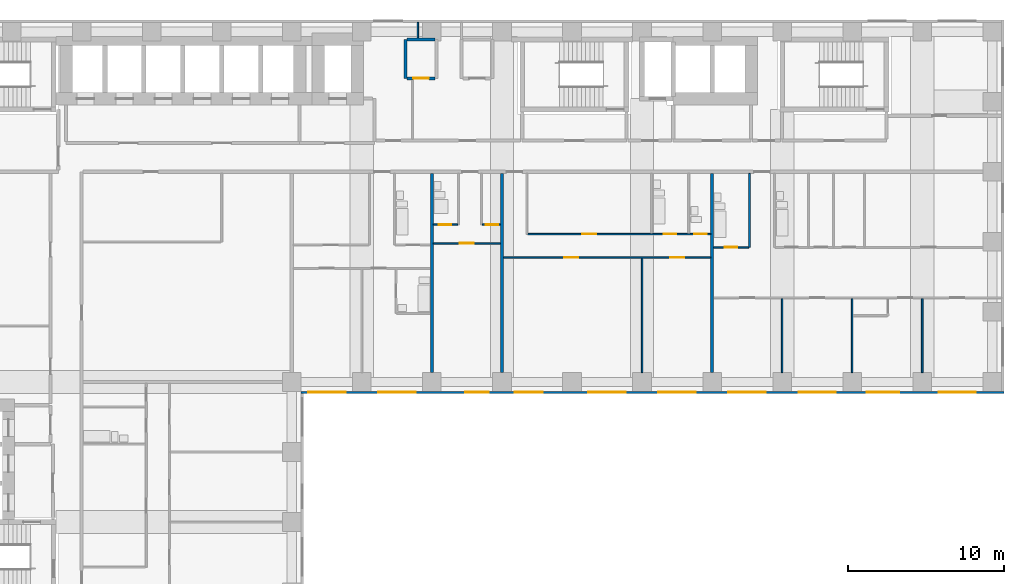
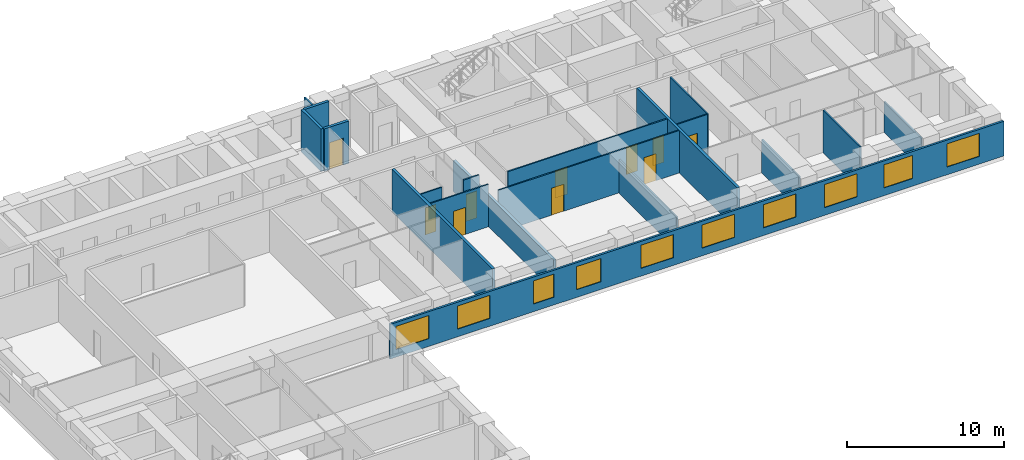
# One storey, part 6 of 11: 19 walls, 10 doors, 10 windows, 20 openings.
"""IFC4 building model written with IfcOpenShell, lengths in metres."""

from ifc_helpers import new_model, si_unit, direction, frame, frame_2d, origin, place, context, subcontext, project, spatial, rectangle, extrude, material, layer, layer_set, type_object, element, fill, save


model = new_model("IFC4")

# Units and contexts
model_context = context("Model", 3, precision=1e-05, world=origin(), true_north=direction((0.0, 1.0)))
body_context = subcontext(model_context, "Body", "Model", "MODEL_VIEW")
ifc_project = project(units=[si_unit("LENGTHUNIT", "METRE"), si_unit("AREAUNIT", "SQUARE_METRE"), si_unit("VOLUMEUNIT", "CUBIC_METRE"), si_unit("PLANEANGLEUNIT", "RADIAN"), si_unit("MASSUNIT", "GRAM", prefix="KILO")], contexts=[model_context])

# Site, building, storey
site_placement = place(None, origin())
site = spatial("IfcSite", under=ifc_project, at=site_placement, CompositionType="ELEMENT")
building_placement = place(site_placement, origin())
building = spatial("IfcBuilding", under=site, at=building_placement, Name="Firuza Court", CompositionType="ELEMENT")
storey_placement = place(building_placement, frame((0.0, 0.0, 75.800048828125)))
storey = spatial("IfcBuildingStorey", under=building, at=storey_placement, Name="L18", CompositionType="ELEMENT", Elevation=75.800048828125)

# Walls
ifc_material_1 = material(Name="Moisture-resistant gypsum board partition")
ifc_layer_1 = layer(ifc_material_1, 0.10009765625)
ifc_layer_set_1 = layer_set([ifc_layer_1], Name="Moisture-resistant gypsum board partition")
wall_type_1 = type_object("IfcWallType", Name="Bathroom partition 100", PredefinedType="PLUMBINGWALL", material=ifc_layer_set_1)
wall_1_placement = place(storey_placement, frame((51.89990234375, 44.64990234375, 0.0), z_axis=(0.0, 0.0, 1.0), x_axis=(0.0, 1.0, 0.0)))
element("IfcWall", 1, at=wall_1_placement, inside=storey, type_object=wall_type_1, Name="Bathroom partition 100 L18", PredefinedType="PLUMBINGWALL", context=body_context, shape_type="SweptSolid", body=[
    extrude(rectangle(XDim=4.75, YDim=0.10009765625, at=frame_2d((2.375, 0.0))), origin(), (0.0, 0.0, 1.0), 3.300048828125),
])
ifc_material_2 = material(Name="Timber stud partition, plasterboard both sides", Category="wood")
ifc_layer_2 = layer(ifc_material_2, 0.10009765625)
ifc_layer_set_2 = layer_set([ifc_layer_2], Name="Timber stud partition, plasterboard both sides")
wall_type_2 = type_object("IfcWallType", Name="Partition wall 100", PredefinedType="PARTITIONING", material=ifc_layer_set_2)
wall_2_placement = place(storey_placement, frame((45.0, 36.60009765625, 0.0), z_axis=(0.0, 0.0, 1.0), x_axis=(0.0, 1.0, 0.0)))
element("IfcWall", 2, at=wall_2_placement, inside=storey, type_object=wall_type_2, Name="Partition wall 100 L18", PredefinedType="PARTITIONING", context=body_context, shape_type="SweptSolid", body=[
    extrude(rectangle(XDim=7.349853515625, YDim=0.10009765625, at=frame_2d((3.6748046875, 0.0))), origin(), (0.0, 0.0, 1.0), 2.599853515625),
])
wall_3_placement = place(storey_placement, frame((54.0, 36.60009765625, 0.0), z_axis=(0.0, 0.0, 1.0), x_axis=(0.0, 1.0, 0.0)))
element("IfcWall", 3, at=wall_3_placement, inside=storey, type_object=wall_type_2, Name="Partition wall 100 L18", PredefinedType="PARTITIONING", context=body_context, shape_type="SweptSolid", body=[
    extrude(rectangle(XDim=4.75, YDim=0.10009765625, at=frame_2d((2.375, 0.0))), origin(), (0.0, 0.0, 1.0), 2.599853515625),
])
wall_4_placement = place(storey_placement, frame((58.5, 36.60009765625, 0.0), z_axis=(0.0, 0.0, 1.0), x_axis=(0.0, 1.0, 0.0)))
element("IfcWall", 4, at=wall_4_placement, inside=storey, type_object=wall_type_2, Name="Partition wall 100 L18", PredefinedType="PARTITIONING", context=body_context, shape_type="SweptSolid", body=[
    extrude(rectangle(XDim=4.75, YDim=0.10009765625, at=frame_2d((2.375, 0.0))), origin(), (0.0, 0.0, 1.0), 3.300048828125),
])
wall_5_placement = place(storey_placement, frame((63.0, 36.60009765625, 0.0), z_axis=(0.0, 0.0, 1.0), x_axis=(0.0, 1.0, 0.0)))
element("IfcWall", 5, at=wall_5_placement, inside=storey, type_object=wall_type_2, Name="Partition wall 100 L18", PredefinedType="PARTITIONING", context=body_context, shape_type="SweptSolid", body=[
    extrude(rectangle(XDim=4.75, YDim=0.10009765625, at=frame_2d((2.375, 0.0))), origin(), (0.0, 0.0, 1.0), 2.39990234375),
])

# Wall, openings, doors
wall_6_placement = place(storey_placement, frame((36.10009765625, 44.0, 0.0), z_axis=(0.0, 0.0, 1.0), x_axis=(1.0, 0.0, 0.0)))
wall_6 = element("IfcWall", 6, at=wall_6_placement, inside=storey, type_object=wall_type_2, Name="Partition wall 100 L18", PredefinedType="PARTITIONING", context=body_context, shape_type="SweptSolid", body=[
    extrude(rectangle(XDim=13.2998046875, YDim=0.10009765625, at=frame_2d((6.64990234375, 0.0))), origin(), (0.0, 0.0, 1.0), 3.300048828125),
])
opening_1_placement = place(wall_6_placement, frame((3.89990234375, 0.0, 0.0)))
opening_1 = element("IfcOpeningElement", 7, at=opening_1_placement, cuts=wall_6, Name="Opening D18051", PredefinedType="OPENING", context=body_context, shape_type="SweptSolid", body=[
    extrude(rectangle(XDim=0.89990234375, YDim=2.10009765625, at=frame_2d((0.449951171875, 1.050048828125))), frame((0.0, 0.06201171875, 0.0), z_axis=(0.0, -1.0, 0.0), x_axis=(1.0, 0.0, 0.0)), (0.0, 0.0, 1.0), 0.1240234375),
])
opening_2_placement = place(wall_6_placement, frame((10.699951171875, 0.0, 0.0)))
opening_2 = element("IfcOpeningElement", 8, at=opening_2_placement, cuts=wall_6, Name="Opening D18052", PredefinedType="OPENING", context=body_context, shape_type="SweptSolid", body=[
    extrude(rectangle(XDim=0.89990234375, YDim=2.10009765625, at=frame_2d((0.449951171875, 1.050048828125))), frame((0.0, 0.06201171875, 0.0), z_axis=(0.0, -1.0, 0.0), x_axis=(1.0, 0.0, 0.0)), (0.0, 0.0, 1.0), 0.1240234375),
])
ifc_material_3 = material(Name="Timber door leaf in hardwood frame", Category="wood")
door_type_1 = type_object("IfcDoorType", Name="Room door 900", OperationType="SINGLE_SWING_LEFT", PredefinedType="DOOR", material=ifc_material_3)
door_1_placement = place(opening_1_placement, frame((0.89990234375, 0.0, 0.0), z_axis=(0.0, 0.0, 1.0), x_axis=(-1.0, 0.0, 0.0)))
door_1 = element("IfcDoor", 9, at=door_1_placement, inside=storey, type_object=door_type_1, Name="Living room door", OperationType="SINGLE_SWING_RIGHT", OverallHeight=2.10009765625, OverallWidth=0.89990234375, PredefinedType="DOOR", context=body_context, shape_type="SweptSolid", body=[
    extrude(rectangle(XDim=0.89990234375, YDim=2.10009765625, at=frame_2d((0.449951171875, 1.050048828125))), frame((0.0, 0.02490234375, 0.0), z_axis=(0.0, -1.0, 0.0), x_axis=(1.0, 0.0, 0.0)), (0.0, 0.0, 1.0), 0.050048828125),
])
fill(opening_1, door_1)
door_2_placement = place(opening_2_placement, frame((0.89990234375, 0.0, 0.0), z_axis=(0.0, 0.0, 1.0), x_axis=(-1.0, 0.0, 0.0)))
door_2 = element("IfcDoor", 10, at=door_2_placement, inside=storey, type_object=door_type_1, Name="Bedroom door", OperationType="SINGLE_SWING_RIGHT", OverallHeight=2.10009765625, OverallWidth=0.89990234375, PredefinedType="DOOR", context=body_context, shape_type="SweptSolid", body=[
    extrude(rectangle(XDim=0.89990234375, YDim=2.10009765625, at=frame_2d((0.449951171875, 1.050048828125))), frame((0.0, 0.02490234375, 0.0), z_axis=(0.0, -1.0, 0.0), x_axis=(1.0, 0.0, 0.0)), (0.0, 0.0, 1.0), 0.050048828125),
])
fill(opening_2, door_2)

# Wall, opening, door
wall_7_placement = place(storey_placement, frame((49.60009765625, 44.64990234375, 0.0), z_axis=(0.0, 0.0, 1.0), x_axis=(1.0, 0.0, 0.0)))
wall_7 = element("IfcWall", 11, at=wall_7_placement, inside=storey, type_object=wall_type_2, Name="Partition wall 100 L18", PredefinedType="PARTITIONING", context=body_context, shape_type="SweptSolid", body=[
    extrude(rectangle(XDim=2.25, YDim=0.10009765625, at=frame_2d((1.125, 0.0))), origin(), (0.0, 0.0, 1.0), 3.300048828125),
])
opening_3_placement = place(wall_7_placement, frame((0.699951171875, 0.0, 0.0)))
opening_3 = element("IfcOpeningElement", 12, at=opening_3_placement, cuts=wall_7, Name="Opening D18053", PredefinedType="OPENING", context=body_context, shape_type="SweptSolid", body=[
    extrude(rectangle(XDim=0.800048828125, YDim=2.10009765625, at=frame_2d((0.39990234375, 1.050048828125))), frame((0.0, 0.06201171875, 0.0), z_axis=(0.0, -1.0, 0.0), x_axis=(1.0, 0.0, 0.0)), (0.0, 0.0, 1.0), 0.1240234375),
])
ifc_material_4 = material(Name="Timber door leaf in hardwood frame", Category="wood")
door_type_2 = type_object("IfcDoorType", Name="Bathroom door 800", OperationType="SINGLE_SWING_LEFT", PredefinedType="DOOR", material=ifc_material_4)
door_3_placement = place(opening_3_placement, origin())
door_3 = element("IfcDoor", 13, at=door_3_placement, inside=storey, type_object=door_type_2, Name="Bathroom door", OperationType="SINGLE_SWING_LEFT", OverallHeight=2.10009765625, OverallWidth=0.800048828125, PredefinedType="DOOR", context=body_context, shape_type="SweptSolid", body=[
    extrude(rectangle(XDim=0.800048828125, YDim=2.10009765625, at=frame_2d((0.39990234375, 1.050048828125))), frame((0.0, 0.02490234375, 0.0), z_axis=(0.0, -1.0, 0.0), x_axis=(1.0, 0.0, 0.0)), (0.0, 0.0, 1.0), 0.050048828125),
])
fill(opening_3, door_3)

wall_8_placement = place(storey_placement, frame((31.60009765625, 44.89990234375, 0.0), z_axis=(0.0, 0.0, 1.0), x_axis=(1.0, 0.0, 0.0)))
wall_8 = element("IfcWall", 14, at=wall_8_placement, inside=storey, type_object=wall_type_2, Name="Partition wall 100 L18", PredefinedType="PARTITIONING", context=body_context, shape_type="SweptSolid", body=[
    extrude(rectangle(XDim=4.2998046875, YDim=0.10009765625, at=frame_2d((2.14990234375, 0.0))), origin(), (0.0, 0.0, 1.0), 3.300048828125),
])
opening_4_placement = place(wall_8_placement, frame((1.699951171875, 0.0, 0.0)))
opening_4 = element("IfcOpeningElement", 15, at=opening_4_placement, cuts=wall_8, Name="Opening D18060", PredefinedType="OPENING", context=body_context, shape_type="SweptSolid", body=[
    extrude(rectangle(XDim=0.89990234375, YDim=2.10009765625, at=frame_2d((0.449951171875, 1.050048828125))), frame((0.0, 0.06201171875, 0.0), z_axis=(0.0, -1.0, 0.0), x_axis=(1.0, 0.0, 0.0)), (0.0, 0.0, 1.0), 0.1240234375),
])
door_4_placement = place(opening_4_placement, frame((0.89990234375, 0.0, 0.0), z_axis=(0.0, 0.0, 1.0), x_axis=(-1.0, 0.0, 0.0)))
door_4 = element("IfcDoor", 16, at=door_4_placement, inside=storey, type_object=door_type_1, Name="Studio room door", OperationType="SINGLE_SWING_RIGHT", OverallHeight=2.10009765625, OverallWidth=0.89990234375, PredefinedType="DOOR", context=body_context, shape_type="SweptSolid", body=[
    extrude(rectangle(XDim=0.89990234375, YDim=2.10009765625, at=frame_2d((0.449951171875, 1.050048828125))), frame((0.0, 0.02490234375, 0.0), z_axis=(0.0, -1.0, 0.0), x_axis=(1.0, 0.0, 0.0)), (0.0, 0.0, 1.0), 0.050048828125),
])
fill(opening_4, door_4)

# Wall, openings, doors
wall_9_placement = place(storey_placement, frame((37.64990234375, 45.5, 0.0), z_axis=(0.0, 0.0, 1.0), x_axis=(1.0, 0.0, 0.0)))
wall_9 = element("IfcWall", 17, at=wall_9_placement, inside=storey, type_object=wall_type_2, Name="Partition wall 100 L18", PredefinedType="PARTITIONING", context=body_context, shape_type="SweptSolid", body=[
    extrude(rectangle(XDim=11.75, YDim=0.10009765625, at=frame_2d((5.875, 0.0))), origin(), (0.0, 0.0, 1.0), 3.300048828125),
])
opening_5_placement = place(wall_9_placement, frame((8.75, 0.0, 0.0)))
opening_5 = element("IfcOpeningElement", 18, at=opening_5_placement, cuts=wall_9, Name="Opening D18061", PredefinedType="OPENING", context=body_context, shape_type="SweptSolid", body=[
    extrude(rectangle(XDim=0.800048828125, YDim=2.10009765625, at=frame_2d((0.39990234375, 1.050048828125))), frame((0.0, 0.06201171875, 0.0), z_axis=(0.0, -1.0, 0.0), x_axis=(1.0, 0.0, 0.0)), (0.0, 0.0, 1.0), 0.1240234375),
])
opening_6_placement = place(wall_9_placement, frame((3.5, 0.0, 0.0)))
opening_6 = element("IfcOpeningElement", 19, at=opening_6_placement, cuts=wall_9, Name="Opening D18062", PredefinedType="OPENING", context=body_context, shape_type="SweptSolid", body=[
    extrude(rectangle(XDim=0.89990234375, YDim=2.10009765625, at=frame_2d((0.449951171875, 1.050048828125))), frame((0.0, 0.06201171875, 0.0), z_axis=(0.0, -1.0, 0.0), x_axis=(1.0, 0.0, 0.0)), (0.0, 0.0, 1.0), 0.1240234375),
])
opening_7_placement = place(wall_9_placement, frame((10.699951171875, 0.0, 0.0)))
opening_7 = element("IfcOpeningElement", 20, at=opening_7_placement, cuts=wall_9, Name="Opening D18063", PredefinedType="OPENING", context=body_context, shape_type="SweptSolid", body=[
    extrude(rectangle(XDim=0.800048828125, YDim=2.10009765625, at=frame_2d((0.39990234375, 1.050048828125))), frame((0.0, 0.06201171875, 0.0), z_axis=(0.0, -1.0, 0.0), x_axis=(1.0, 0.0, 0.0)), (0.0, 0.0, 1.0), 0.1240234375),
])
door_5_placement = place(opening_5_placement, origin())
door_5 = element("IfcDoor", 21, at=door_5_placement, inside=storey, type_object=door_type_2, Name="Bathroom door", OperationType="SINGLE_SWING_LEFT", OverallHeight=2.10009765625, OverallWidth=0.800048828125, PredefinedType="DOOR", context=body_context, shape_type="SweptSolid", body=[
    extrude(rectangle(XDim=0.800048828125, YDim=2.10009765625, at=frame_2d((0.39990234375, 1.050048828125))), frame((0.0, 0.02490234375, 0.0), z_axis=(0.0, -1.0, 0.0), x_axis=(1.0, 0.0, 0.0)), (0.0, 0.0, 1.0), 0.050048828125),
])
fill(opening_5, door_5)
door_6_placement = place(opening_7_placement, origin())
door_6 = element("IfcDoor", 22, at=door_6_placement, inside=storey, type_object=door_type_2, Name="Powder room door", OperationType="SINGLE_SWING_LEFT", OverallHeight=2.10009765625, OverallWidth=0.800048828125, PredefinedType="DOOR", context=body_context, shape_type="SweptSolid", body=[
    extrude(rectangle(XDim=0.800048828125, YDim=2.10009765625, at=frame_2d((0.39990234375, 1.050048828125))), frame((0.0, 0.02490234375, 0.0), z_axis=(0.0, -1.0, 0.0), x_axis=(1.0, 0.0, 0.0)), (0.0, 0.0, 1.0), 0.050048828125),
])
fill(opening_7, door_6)
door_7_placement = place(opening_6_placement, origin())
door_7 = element("IfcDoor", 23, at=door_7_placement, inside=storey, type_object=door_type_1, Name="Kitchen door", OperationType="SINGLE_SWING_LEFT", OverallHeight=2.10009765625, OverallWidth=0.89990234375, PredefinedType="DOOR", context=body_context, shape_type="SweptSolid", body=[
    extrude(rectangle(XDim=0.89990234375, YDim=2.10009765625, at=frame_2d((0.449951171875, 1.050048828125))), frame((0.0, 0.02490234375, 0.0), z_axis=(0.0, -1.0, 0.0), x_axis=(1.0, 0.0, 0.0)), (0.0, 0.0, 1.0), 0.050048828125),
])
fill(opening_6, door_7)

# Wall, opening, door
wall_10_placement = place(storey_placement, frame((31.60009765625, 46.10009765625, 0.0), z_axis=(0.0, 0.0, 1.0), x_axis=(1.0, 0.0, 0.0)))
wall_10 = element("IfcWall", 24, at=wall_10_placement, inside=storey, type_object=wall_type_2, Name="Partition wall 100 L18", PredefinedType="PARTITIONING", context=body_context, shape_type="SweptSolid", body=[
    extrude(rectangle(XDim=1.5498046875, YDim=0.10009765625, at=frame_2d((0.77490234375, 0.0))), origin(), (0.0, 0.0, 1.0), 3.300048828125),
])
opening_8_placement = place(wall_10_placement, frame((0.35009765625, 0.0, 0.0)))
opening_8 = element("IfcOpeningElement", 25, at=opening_8_placement, cuts=wall_10, Name="Opening D18064", PredefinedType="OPENING", context=body_context, shape_type="SweptSolid", body=[
    extrude(rectangle(XDim=0.800048828125, YDim=2.10009765625, at=frame_2d((0.39990234375, 1.050048828125))), frame((0.0, 0.06201171875, 0.0), z_axis=(0.0, -1.0, 0.0), x_axis=(1.0, 0.0, 0.0)), (0.0, 0.0, 1.0), 0.1240234375),
])
door_8_placement = place(opening_8_placement, origin())
door_8 = element("IfcDoor", 26, at=door_8_placement, inside=storey, type_object=door_type_2, Name="Bathroom door", OperationType="SINGLE_SWING_LEFT", OverallHeight=2.10009765625, OverallWidth=0.800048828125, PredefinedType="DOOR", context=body_context, shape_type="SweptSolid", body=[
    extrude(rectangle(XDim=0.800048828125, YDim=2.10009765625, at=frame_2d((0.39990234375, 1.050048828125))), frame((0.0, 0.02490234375, 0.0), z_axis=(0.0, -1.0, 0.0), x_axis=(1.0, 0.0, 0.0)), (0.0, 0.0, 1.0), 0.050048828125),
])
fill(opening_8, door_8)

wall_11_placement = place(storey_placement, frame((34.75, 46.10009765625, 0.0), z_axis=(0.0, 0.0, 1.0), x_axis=(1.0, 0.0, 0.0)))
wall_11 = element("IfcWall", 27, at=wall_11_placement, inside=storey, type_object=wall_type_2, Name="Partition wall 100 L18", PredefinedType="PARTITIONING", context=body_context, shape_type="SweptSolid", body=[
    extrude(rectangle(XDim=1.14990234375, YDim=0.10009765625, at=frame_2d((0.574951171875, 0.0))), origin(), (0.0, 0.0, 1.0), 3.300048828125),
])
opening_9_placement = place(wall_11_placement, frame((0.199951171875, 0.0, 0.0)))
opening_9 = element("IfcOpeningElement", 28, at=opening_9_placement, cuts=wall_11, Name="Opening D18065", PredefinedType="OPENING", context=body_context, shape_type="SweptSolid", body=[
    extrude(rectangle(XDim=0.800048828125, YDim=2.10009765625, at=frame_2d((0.39990234375, 1.050048828125))), frame((0.0, 0.06201171875, 0.0), z_axis=(0.0, -1.0, 0.0), x_axis=(1.0, 0.0, 0.0)), (0.0, 0.0, 1.0), 0.1240234375),
])
ifc_material_5 = material(Name="Timber door leaf in hardwood frame", Category="wood")
door_type_3 = type_object("IfcDoorType", Name="Room door 800", OperationType="SINGLE_SWING_LEFT", PredefinedType="DOOR", material=ifc_material_5)
door_9_placement = place(opening_9_placement, origin())
door_9 = element("IfcDoor", 29, at=door_9_placement, inside=storey, type_object=door_type_3, Name="Kitchen door", OperationType="SINGLE_SWING_LEFT", OverallHeight=2.10009765625, OverallWidth=0.800048828125, PredefinedType="DOOR", context=body_context, shape_type="SweptSolid", body=[
    extrude(rectangle(XDim=0.800048828125, YDim=2.10009765625, at=frame_2d((0.39990234375, 1.050048828125))), frame((0.0, 0.02490234375, 0.0), z_axis=(0.0, -1.0, 0.0), x_axis=(1.0, 0.0, 0.0)), (0.0, 0.0, 1.0), 0.050048828125),
])
fill(opening_9, door_9)

# Walls
wall_12_placement = place(storey_placement, frame((30.60009765625, 58.10009765625, 0.0), z_axis=(0.0, 0.0, 1.0), x_axis=(0.0, 1.0, 0.0)))
element("IfcWall", 30, at=wall_12_placement, inside=storey, type_object=wall_type_2, Name="Partition wall 100 L18", PredefinedType="PARTITIONING", context=body_context, shape_type="SweptSolid", body=[
    extrude(rectangle(XDim=1.0, YDim=0.10009765625, at=frame_2d((0.5, 0.0))), origin(), (0.0, 0.0, 1.0), 3.300048828125),
])
ifc_material_6 = material(Name="Blockwork, plastered both sides", Category="masonry")
ifc_layer_3 = layer(ifc_material_6, 0.199951171875)
ifc_layer_set_3 = layer_set([ifc_layer_3], Name="Blockwork, plastered both sides")
wall_type_3 = type_object("IfcWallType", Name="Party wall 200", PredefinedType="PARTITIONING", material=ifc_layer_set_3)
wall_13_placement = place(storey_placement, frame((31.5, 36.60009765625, 0.0), z_axis=(0.0, 0.0, 1.0), x_axis=(0.0, 1.0, 0.0)))
element("IfcWall", 31, at=wall_13_placement, inside=storey, type_object=wall_type_3, Name="Party wall 200 L18", PredefinedType="PARTITIONING", context=body_context, shape_type="SweptSolid", body=[
    extrude(rectangle(XDim=12.7998046875, YDim=0.199951171875, at=frame_2d((6.39990234375, 0.0))), origin(), (0.0, 0.0, 1.0), 3.300048828125),
])
wall_14_placement = place(storey_placement, frame((36.0, 36.60009765625, 0.0), z_axis=(0.0, 0.0, 1.0), x_axis=(0.0, 1.0, 0.0)))
element("IfcWall", 32, at=wall_14_placement, inside=storey, type_object=wall_type_3, Name="Party wall 200 L18", PredefinedType="PARTITIONING", context=body_context, shape_type="SweptSolid", body=[
    extrude(rectangle(XDim=12.7998046875, YDim=0.199951171875, at=frame_2d((6.39990234375, 0.0))), origin(), (0.0, 0.0, 1.0), 2.39990234375),
])
wall_15_placement = place(storey_placement, frame((49.5, 36.60009765625, 0.0), z_axis=(0.0, 0.0, 1.0), x_axis=(0.0, 1.0, 0.0)))
element("IfcWall", 33, at=wall_15_placement, inside=storey, type_object=wall_type_3, Name="Party wall 200 L18", PredefinedType="PARTITIONING", context=body_context, shape_type="SweptSolid", body=[
    extrude(rectangle(XDim=12.7998046875, YDim=0.199951171875, at=frame_2d((6.39990234375, 0.0))), origin(), (0.0, 0.0, 1.0), 3.300048828125),
])
ifc_material_7 = material(Name="Blockwork, fire-rated", Category="masonry")
ifc_layer_4 = layer(ifc_material_7, 0.199951171875)
ifc_layer_set_4 = layer_set([ifc_layer_4], Name="Blockwork, fire-rated")
wall_type_4 = type_object("IfcWallType", Name="Plant room wall 200", PredefinedType="PARTITIONING", material=ifc_layer_set_4)
wall_16_placement = place(storey_placement, frame((29.800048828125, 55.5, 0.0), z_axis=(0.0, 0.0, 1.0), x_axis=(0.0, 1.0, 0.0)))
element("IfcWall", 34, at=wall_16_placement, inside=storey, type_object=wall_type_4, Name="Plant room wall 200 L18", PredefinedType="PARTITIONING", context=body_context, shape_type="SweptSolid", body=[
    extrude(rectangle(XDim=2.5, YDim=0.199951171875, at=frame_2d((1.25, 0.0))), origin(), (0.0, 0.0, 1.0), 3.300048828125),
])

# Wall, opening, door
wall_17_placement = place(storey_placement, frame((29.89990234375, 55.5, 0.0), z_axis=(0.0, 0.0, 1.0), x_axis=(1.0, 0.0, 0.0)))
wall_17 = element("IfcWall", 35, at=wall_17_placement, inside=storey, type_object=wall_type_4, Name="Plant room wall 200 L18", PredefinedType="PARTITIONING", context=body_context, shape_type="SweptSolid", body=[
    extrude(rectangle(XDim=1.800048828125, YDim=0.199951171875, at=frame_2d((0.89990234375, 0.0))), origin(), (0.0, 0.0, 1.0), 3.300048828125),
])
opening_10_placement = place(wall_17_placement, frame((0.39990234375, 0.0, 0.0)))
opening_10 = element("IfcOpeningElement", 36, at=opening_10_placement, cuts=wall_17, Name="Opening D18076", PredefinedType="OPENING", context=body_context, shape_type="SweptSolid", body=[
    extrude(rectangle(XDim=1.0, YDim=2.10009765625, at=frame_2d((0.5, 1.050048828125))), frame((0.0, 0.11181640625, 0.0), z_axis=(0.0, -1.0, 0.0), x_axis=(1.0, 0.0, 0.0)), (0.0, 0.0, 1.0), 0.223876953125),
])
ifc_material_8 = material(Name="Timber door leaf in hardwood frame", Category="wood")
door_type_4 = type_object("IfcDoorType", Name="Riser door 1000", OperationType="SINGLE_SWING_LEFT", PredefinedType="DOOR", material=ifc_material_8)
door_10_placement = place(opening_10_placement, origin())
door_10 = element("IfcDoor", 37, at=door_10_placement, inside=storey, type_object=door_type_4, Name="Electrical riser door", OperationType="SINGLE_SWING_LEFT", OverallHeight=2.10009765625, OverallWidth=1.0, PredefinedType="DOOR", context=body_context, shape_type="SweptSolid", body=[
    extrude(rectangle(XDim=1.0, YDim=2.10009765625, at=frame_2d((0.5, 1.050048828125))), frame((0.0, 0.02490234375, 0.0), z_axis=(0.0, -1.0, 0.0), x_axis=(1.0, 0.0, 0.0)), (0.0, 0.0, 1.0), 0.050048828125),
])
fill(opening_10, door_10)

# Wall
wall_18_placement = place(storey_placement, frame((29.89990234375, 58.0, 0.0), z_axis=(0.0, 0.0, 1.0), x_axis=(1.0, 0.0, 0.0)))
element("IfcWall", 38, at=wall_18_placement, inside=storey, type_object=wall_type_4, Name="Plant room wall 200 L18", PredefinedType="PARTITIONING", context=body_context, shape_type="SweptSolid", body=[
    extrude(rectangle(XDim=1.800048828125, YDim=0.199951171875, at=frame_2d((0.89990234375, 0.0))), origin(), (0.0, 0.0, 1.0), 3.300048828125),
])

# Wall, openings, windows
ifc_material_9 = material(Name="Ceramic tile", Category="ceramic")
ifc_layer_5 = layer(ifc_material_9, 0.02001953125)
ifc_material_10 = material(Name="Mineral wool insulation", Category="insulation")
ifc_layer_6 = layer(ifc_material_10, 0.050048828125)
ifc_material_11 = material(Name="Concrete C40/50 precast", Category="concrete")
ifc_layer_7 = layer(ifc_material_11, 0.080078125)
ifc_layer_set_5 = layer_set([ifc_layer_5, ifc_layer_6, ifc_layer_7], Name="Concrete C40/50 precast")
wall_type_5 = type_object("IfcWallType", Name="Precast cladding wall with turquoise TILE PANEL face 150", PredefinedType="STANDARD", material=ifc_layer_set_5)
wall_19_placement = place(storey_placement, frame((23.10009765625, 35.324951171875, 0.0), z_axis=(0.0, 0.0, 1.0), x_axis=(1.0, 0.0, 0.0)))
wall_19 = element("IfcWall", 39, at=wall_19_placement, inside=storey, type_object=wall_type_5, Name="Facade wall L18 S", PredefinedType="STANDARD", context=body_context, shape_type="SweptSolid", body=[
    extrude(rectangle(XDim=45.14990234375, YDim=0.14990234375, at=frame_2d((22.574951171875, 0.0))), origin(), (0.0, 0.0, 1.0), 2.699951171875),
])
opening_11_placement = place(wall_19_placement, frame((0.449951171875, 0.0, 0.60009765625)))
opening_11 = element("IfcOpeningElement", 40, at=opening_11_placement, cuts=wall_19, Name="Opening W1", PredefinedType="OPENING", context=body_context, shape_type="SweptSolid", body=[
    extrude(rectangle(XDim=2.39990234375, YDim=1.800048828125, at=frame_2d((1.199951171875, 0.89990234375))), frame((0.0, 0.0869140625, 0.0), z_axis=(0.0, -1.0, 0.0), x_axis=(1.0, 0.0, 0.0)), (0.0, 0.0, 1.0), 0.173828125),
])
opening_12_placement = place(wall_19_placement, frame((4.949951171875, 0.0, 0.60009765625)))
opening_12 = element("IfcOpeningElement", 41, at=opening_12_placement, cuts=wall_19, Name="Opening W1", PredefinedType="OPENING", context=body_context, shape_type="SweptSolid", body=[
    extrude(rectangle(XDim=2.39990234375, YDim=1.800048828125, at=frame_2d((1.199951171875, 0.89990234375))), frame((0.0, 0.0869140625, 0.0), z_axis=(0.0, -1.0, 0.0), x_axis=(1.0, 0.0, 0.0)), (0.0, 0.0, 1.0), 0.173828125),
])
opening_13_placement = place(wall_19_placement, frame((10.54833984375, 0.0, 0.60009765625)))
opening_13 = element("IfcOpeningElement", 42, at=opening_13_placement, cuts=wall_19, Name="Opening W2", PredefinedType="OPENING", context=body_context, shape_type="SweptSolid", body=[
    extrude(rectangle(XDim=1.5, YDim=1.800048828125, at=frame_2d((0.75, 0.89990234375))), frame((0.0, 0.0869140625, 0.0), z_axis=(0.0, -1.0, 0.0), x_axis=(1.0, 0.0, 0.0)), (0.0, 0.0, 1.0), 0.173828125),
])
opening_14_placement = place(wall_19_placement, frame((13.709716796875, 0.0, 0.60009765625)))
opening_14 = element("IfcOpeningElement", 43, at=opening_14_placement, cuts=wall_19, Name="Opening W7", PredefinedType="OPENING", context=body_context, shape_type="SweptSolid", body=[
    extrude(rectangle(XDim=1.800048828125, YDim=1.800048828125, at=frame_2d((0.89990234375, 0.89990234375))), frame((0.0, 0.0869140625, 0.0), z_axis=(0.0, -1.0, 0.0), x_axis=(1.0, 0.0, 0.0)), (0.0, 0.0, 1.0), 0.173828125),
])
opening_15_placement = place(wall_19_placement, frame((18.449951171875, 0.0, 0.60009765625)))
opening_15 = element("IfcOpeningElement", 44, at=opening_15_placement, cuts=wall_19, Name="Opening W1", PredefinedType="OPENING", context=body_context, shape_type="SweptSolid", body=[
    extrude(rectangle(XDim=2.39990234375, YDim=1.800048828125, at=frame_2d((1.199951171875, 0.89990234375))), frame((0.0, 0.0869140625, 0.0), z_axis=(0.0, -1.0, 0.0), x_axis=(1.0, 0.0, 0.0)), (0.0, 0.0, 1.0), 0.173828125),
])
opening_16_placement = place(wall_19_placement, frame((22.949951171875, 0.0, 0.60009765625)))
opening_16 = element("IfcOpeningElement", 45, at=opening_16_placement, cuts=wall_19, Name="Opening W1", PredefinedType="OPENING", context=body_context, shape_type="SweptSolid", body=[
    extrude(rectangle(XDim=2.39990234375, YDim=1.800048828125, at=frame_2d((1.199951171875, 0.89990234375))), frame((0.0, 0.0869140625, 0.0), z_axis=(0.0, -1.0, 0.0), x_axis=(1.0, 0.0, 0.0)), (0.0, 0.0, 1.0), 0.173828125),
])
opening_17_placement = place(wall_19_placement, frame((27.449951171875, 0.0, 0.60009765625)))
opening_17 = element("IfcOpeningElement", 46, at=opening_17_placement, cuts=wall_19, Name="Opening W1", PredefinedType="OPENING", context=body_context, shape_type="SweptSolid", body=[
    extrude(rectangle(XDim=2.39990234375, YDim=1.800048828125, at=frame_2d((1.199951171875, 0.89990234375))), frame((0.0, 0.0869140625, 0.0), z_axis=(0.0, -1.0, 0.0), x_axis=(1.0, 0.0, 0.0)), (0.0, 0.0, 1.0), 0.173828125),
])
opening_18_placement = place(wall_19_placement, frame((31.949951171875, 0.0, 0.60009765625)))
opening_18 = element("IfcOpeningElement", 47, at=opening_18_placement, cuts=wall_19, Name="Opening W1", PredefinedType="OPENING", context=body_context, shape_type="SweptSolid", body=[
    extrude(rectangle(XDim=2.39990234375, YDim=1.800048828125, at=frame_2d((1.199951171875, 0.89990234375))), frame((0.0, 0.0869140625, 0.0), z_axis=(0.0, -1.0, 0.0), x_axis=(1.0, 0.0, 0.0)), (0.0, 0.0, 1.0), 0.173828125),
])
opening_19_placement = place(wall_19_placement, frame((36.33056640625, 0.0, 0.60009765625)))
opening_19 = element("IfcOpeningElement", 48, at=opening_19_placement, cuts=wall_19, Name="Opening W6", PredefinedType="OPENING", context=body_context, shape_type="SweptSolid", body=[
    extrude(rectangle(XDim=2.10009765625, YDim=1.800048828125, at=frame_2d((1.050048828125, 0.89990234375))), frame((0.0, 0.0869140625, 0.0), z_axis=(0.0, -1.0, 0.0), x_axis=(1.0, 0.0, 0.0)), (0.0, 0.0, 1.0), 0.173828125),
])
opening_20_placement = place(wall_19_placement, frame((40.949951171875, 0.0, 0.60009765625)))
opening_20 = element("IfcOpeningElement", 49, at=opening_20_placement, cuts=wall_19, Name="Opening W1", PredefinedType="OPENING", context=body_context, shape_type="SweptSolid", body=[
    extrude(rectangle(XDim=2.39990234375, YDim=1.800048828125, at=frame_2d((1.199951171875, 0.89990234375))), frame((0.0, 0.0869140625, 0.0), z_axis=(0.0, -1.0, 0.0), x_axis=(1.0, 0.0, 0.0)), (0.0, 0.0, 1.0), 0.173828125),
])
ifc_material_12 = material(Name="Aluminium frame, triple clear glazing", Category="aluminium")
window_type_1 = type_object("IfcWindowType", Name="Window W1 2400 x 1800", PartitioningType="SINGLE_PANEL", PredefinedType="WINDOW", material=ifc_material_12)
window_1_placement = place(opening_11_placement, origin())
window_1 = element("IfcWindow", 50, at=window_1_placement, inside=storey, type_object=window_type_1, Name="Window L18", OverallHeight=1.800048828125, OverallWidth=2.39990234375, PartitioningType="SINGLE_PANEL", PredefinedType="WINDOW", context=body_context, shape_type="SweptSolid", body=[
    extrude(rectangle(XDim=2.39990234375, YDim=1.800048828125, at=frame_2d((1.199951171875, 0.89990234375))), frame((0.0, 0.030029296875, 0.0), z_axis=(0.0, -1.0, 0.0), x_axis=(1.0, 0.0, 0.0)), (0.0, 0.0, 1.0), 0.06005859375),
])
fill(opening_11, window_1)
window_2_placement = place(opening_12_placement, origin())
window_2 = element("IfcWindow", 51, at=window_2_placement, inside=storey, type_object=window_type_1, Name="Window L18", OverallHeight=1.800048828125, OverallWidth=2.39990234375, PartitioningType="SINGLE_PANEL", PredefinedType="WINDOW", context=body_context, shape_type="SweptSolid", body=[
    extrude(rectangle(XDim=2.39990234375, YDim=1.800048828125, at=frame_2d((1.199951171875, 0.89990234375))), frame((0.0, 0.030029296875, 0.0), z_axis=(0.0, -1.0, 0.0), x_axis=(1.0, 0.0, 0.0)), (0.0, 0.0, 1.0), 0.06005859375),
])
fill(opening_12, window_2)
window_3_placement = place(opening_15_placement, origin())
window_3 = element("IfcWindow", 52, at=window_3_placement, inside=storey, type_object=window_type_1, Name="Window L18", OverallHeight=1.800048828125, OverallWidth=2.39990234375, PartitioningType="SINGLE_PANEL", PredefinedType="WINDOW", context=body_context, shape_type="SweptSolid", body=[
    extrude(rectangle(XDim=2.39990234375, YDim=1.800048828125, at=frame_2d((1.199951171875, 0.89990234375))), frame((0.0, 0.030029296875, 0.0), z_axis=(0.0, -1.0, 0.0), x_axis=(1.0, 0.0, 0.0)), (0.0, 0.0, 1.0), 0.06005859375),
])
fill(opening_15, window_3)
window_4_placement = place(opening_16_placement, origin())
window_4 = element("IfcWindow", 53, at=window_4_placement, inside=storey, type_object=window_type_1, Name="Window L18", OverallHeight=1.800048828125, OverallWidth=2.39990234375, PartitioningType="SINGLE_PANEL", PredefinedType="WINDOW", context=body_context, shape_type="SweptSolid", body=[
    extrude(rectangle(XDim=2.39990234375, YDim=1.800048828125, at=frame_2d((1.199951171875, 0.89990234375))), frame((0.0, 0.030029296875, 0.0), z_axis=(0.0, -1.0, 0.0), x_axis=(1.0, 0.0, 0.0)), (0.0, 0.0, 1.0), 0.06005859375),
])
fill(opening_16, window_4)
window_5_placement = place(opening_17_placement, origin())
window_5 = element("IfcWindow", 54, at=window_5_placement, inside=storey, type_object=window_type_1, Name="Window L18", OverallHeight=1.800048828125, OverallWidth=2.39990234375, PartitioningType="SINGLE_PANEL", PredefinedType="WINDOW", context=body_context, shape_type="SweptSolid", body=[
    extrude(rectangle(XDim=2.39990234375, YDim=1.800048828125, at=frame_2d((1.199951171875, 0.89990234375))), frame((0.0, 0.030029296875, 0.0), z_axis=(0.0, -1.0, 0.0), x_axis=(1.0, 0.0, 0.0)), (0.0, 0.0, 1.0), 0.06005859375),
])
fill(opening_17, window_5)
window_6_placement = place(opening_18_placement, origin())
window_6 = element("IfcWindow", 55, at=window_6_placement, inside=storey, type_object=window_type_1, Name="Window L18", OverallHeight=1.800048828125, OverallWidth=2.39990234375, PartitioningType="SINGLE_PANEL", PredefinedType="WINDOW", context=body_context, shape_type="SweptSolid", body=[
    extrude(rectangle(XDim=2.39990234375, YDim=1.800048828125, at=frame_2d((1.199951171875, 0.89990234375))), frame((0.0, 0.030029296875, 0.0), z_axis=(0.0, -1.0, 0.0), x_axis=(1.0, 0.0, 0.0)), (0.0, 0.0, 1.0), 0.06005859375),
])
fill(opening_18, window_6)
window_7_placement = place(opening_20_placement, origin())
window_7 = element("IfcWindow", 56, at=window_7_placement, inside=storey, type_object=window_type_1, Name="Window L18", OverallHeight=1.800048828125, OverallWidth=2.39990234375, PartitioningType="SINGLE_PANEL", PredefinedType="WINDOW", context=body_context, shape_type="SweptSolid", body=[
    extrude(rectangle(XDim=2.39990234375, YDim=1.800048828125, at=frame_2d((1.199951171875, 0.89990234375))), frame((0.0, 0.030029296875, 0.0), z_axis=(0.0, -1.0, 0.0), x_axis=(1.0, 0.0, 0.0)), (0.0, 0.0, 1.0), 0.06005859375),
])
fill(opening_20, window_7)
ifc_material_13 = material(Name="Aluminium frame, triple clear glazing", Category="aluminium")
window_type_2 = type_object("IfcWindowType", Name="Window W2 1500 x 1800", PartitioningType="SINGLE_PANEL", PredefinedType="WINDOW", material=ifc_material_13)
window_8_placement = place(opening_13_placement, origin())
window_8 = element("IfcWindow", 57, at=window_8_placement, inside=storey, type_object=window_type_2, Name="Window L18", OverallHeight=1.800048828125, OverallWidth=1.5, PartitioningType="SINGLE_PANEL", PredefinedType="WINDOW", context=body_context, shape_type="SweptSolid", body=[
    extrude(rectangle(XDim=1.5, YDim=1.800048828125, at=frame_2d((0.75, 0.89990234375))), frame((0.0, 0.030029296875, 0.0), z_axis=(0.0, -1.0, 0.0), x_axis=(1.0, 0.0, 0.0)), (0.0, 0.0, 1.0), 0.06005859375),
])
fill(opening_13, window_8)
ifc_material_14 = material(Name="Aluminium frame, triple clear glazing", Category="aluminium")
window_type_3 = type_object("IfcWindowType", Name="Window W6 2100 x 1800", PartitioningType="SINGLE_PANEL", PredefinedType="WINDOW", material=ifc_material_14)
window_9_placement = place(opening_19_placement, origin())
window_9 = element("IfcWindow", 58, at=window_9_placement, inside=storey, type_object=window_type_3, Name="Window L18", OverallHeight=1.800048828125, OverallWidth=2.10009765625, PartitioningType="SINGLE_PANEL", PredefinedType="WINDOW", context=body_context, shape_type="SweptSolid", body=[
    extrude(rectangle(XDim=2.10009765625, YDim=1.800048828125, at=frame_2d((1.050048828125, 0.89990234375))), frame((0.0, 0.030029296875, 0.0), z_axis=(0.0, -1.0, 0.0), x_axis=(1.0, 0.0, 0.0)), (0.0, 0.0, 1.0), 0.06005859375),
])
fill(opening_19, window_9)
ifc_material_15 = material(Name="Aluminium frame, triple clear glazing", Category="aluminium")
window_type_4 = type_object("IfcWindowType", Name="Window W7 1800 x 1800", PartitioningType="SINGLE_PANEL", PredefinedType="WINDOW", material=ifc_material_15)
window_10_placement = place(opening_14_placement, origin())
window_10 = element("IfcWindow", 59, at=window_10_placement, inside=storey, type_object=window_type_4, Name="Window L18", OverallHeight=1.800048828125, OverallWidth=1.800048828125, PartitioningType="SINGLE_PANEL", PredefinedType="WINDOW", context=body_context, shape_type="SweptSolid", body=[
    extrude(rectangle(XDim=1.800048828125, YDim=1.800048828125, at=frame_2d((0.89990234375, 0.89990234375))), frame((0.0, 0.030029296875, 0.0), z_axis=(0.0, -1.0, 0.0), x_axis=(1.0, 0.0, 0.0)), (0.0, 0.0, 1.0), 0.06005859375),
])
fill(opening_14, window_10)

save(model, "model.ifc")
